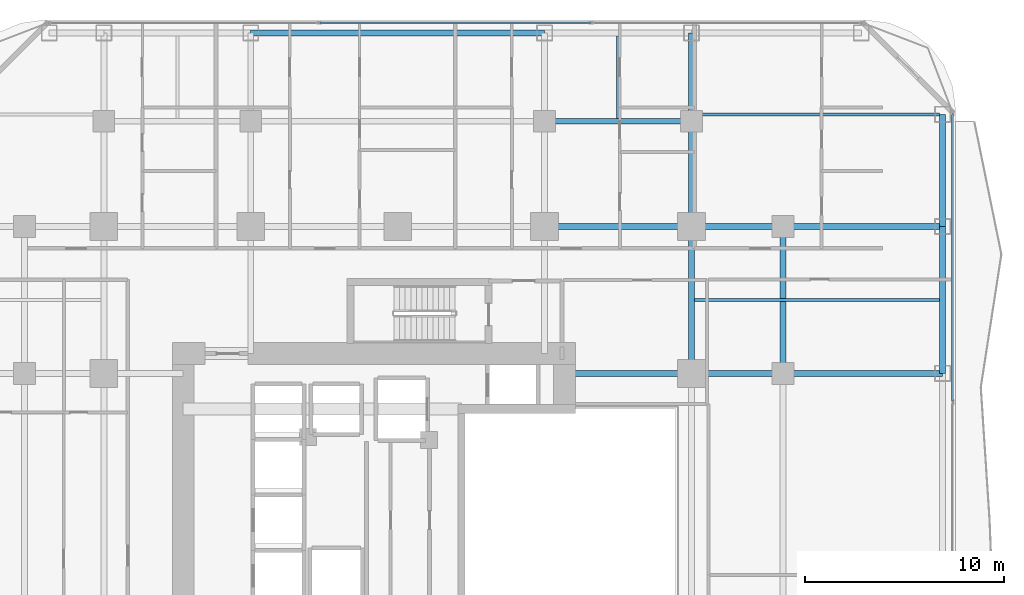
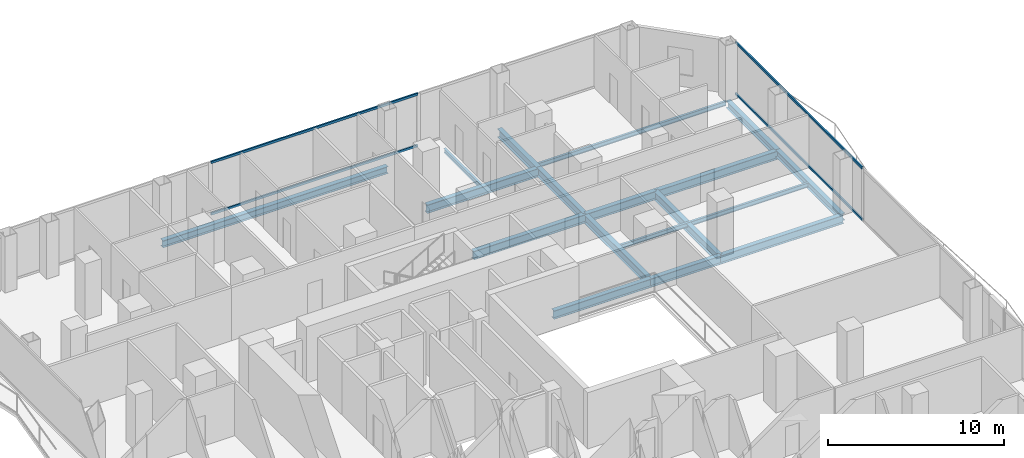
# One storey, part 17 of 27: 17 beams, 4 members, 2 elements without a shape of their own.
"""IFC4 building model written with IfcOpenShell, lengths in metres."""

from ifc_helpers import new_model, si_unit, direction, frame, origin, origin_2d, place, context, subcontext, project, spatial, hollow_rectangle, i_section, extrude, material, layer, layer_set, material_profile, profile_set, type_object, element, aggregate, save


model = new_model("IFC4")

# Units and contexts
model_context = context("Model", 3, precision=1e-05, world=origin(), true_north=direction((0.0, 1.0)))
body_context = subcontext(model_context, "Body", "Model", "MODEL_VIEW")
ifc_project = project(units=[si_unit("LENGTHUNIT", "METRE"), si_unit("AREAUNIT", "SQUARE_METRE"), si_unit("VOLUMEUNIT", "CUBIC_METRE"), si_unit("PLANEANGLEUNIT", "RADIAN"), si_unit("MASSUNIT", "GRAM", prefix="KILO")], contexts=[model_context])

# Site, building, storey
site_placement = place(None, origin())
site = spatial("IfcSite", under=ifc_project, at=site_placement, CompositionType="ELEMENT")
building_placement = place(site_placement, origin())
building = spatial("IfcBuilding", under=site, at=building_placement, Name="Khorvyn Point Tower", CompositionType="ELEMENT")
storey_placement = place(building_placement, frame((0.0, 0.0, 42.300048828125)))
storey = spatial("IfcBuildingStorey", under=building, at=storey_placement, Name="L11", CompositionType="ELEMENT", Elevation=42.300048828125)

# Curtain wall, members
ifc_material_1 = material(Name="Anodised aluminium 6063-T6 and laminated Low-E glass", Category="aluminium")
ifc_layer = layer(ifc_material_1, 0.18994140625)
ifc_layer_set = layer_set([ifc_layer], Name="Stick-Built Finned Residential Curtain Wall CW-SYS-02")
curtain_wall_type = type_object("IfcCurtainWallType", Name="Stick-Built Finned Residential Curtain Wall CW-SYS-02", PredefinedType="NOTDEFINED", material=ifc_layer_set)
curtain_wall_1_placement = place(storey_placement, origin())
curtain_wall_1 = element("IfcCurtainWall", 1, at=curtain_wall_1_placement, inside=storey, type_object=curtain_wall_type, Name="Curtain Wall", PredefinedType="NOTDEFINED")
ifc_material_2 = material(Name="Anodised aluminium 6063-T6", Category="aluminium")
ifc_material_profile_1 = material_profile(ifc_material_2, hollow_rectangle(XDim=0.10009765625, YDim=0.159912109375, WallThickness=0.00439453125, at=origin_2d()))
ifc_profile_set_1 = profile_set([ifc_material_profile_1], Name="Anodised aluminium 6063-T6 ALU-TRN-100x160")
member_type = type_object("IfcMemberType", Name="Anodised Aluminium 6063-T6 Transom ALU-TRN-100x160", PredefinedType="USERDEFINED", material=ifc_profile_set_1)
member_1_placement = place(storey_placement, frame((-3.89990234375, 25.050048828125, 0.050048828125), z_axis=(1.0, 0.0, 0.0), x_axis=(0.0, 1.0, 0.0)))
member_1 = element("IfcMember", 2, at=member_1_placement, type_object=member_type, Name="Transom", ObjectType="TRANSOM", PredefinedType="USERDEFINED", context=body_context, shape_type="SweptSolid", body=[
    extrude(hollow_rectangle(XDim=0.10009765625, YDim=0.159912109375, WallThickness=0.00439453125, at=origin_2d()), origin(), (0.0, 0.0, 1.0), 13.599853515625),
])
member_2_placement = place(storey_placement, frame((-3.89990234375, 25.050048828125, 3.6298828125), z_axis=(1.0, 0.0, 0.0), x_axis=(0.0, 1.0, 0.0)))
member_2 = element("IfcMember", 3, at=member_2_placement, type_object=member_type, Name="Transom", ObjectType="TRANSOM", PredefinedType="USERDEFINED", context=body_context, shape_type="SweptSolid", body=[
    extrude(hollow_rectangle(XDim=0.10009765625, YDim=0.159912109375, WallThickness=0.00439453125, at=origin_2d()), origin(), (0.0, 0.0, 1.0), 13.599853515625),
])
aggregate(curtain_wall_1, [member_1, member_2])

curtain_wall_2_placement = place(storey_placement, origin())
curtain_wall_2 = element("IfcCurtainWall", 4, at=curtain_wall_2_placement, inside=storey, type_object=curtain_wall_type, Name="Curtain Wall", PredefinedType="NOTDEFINED")
member_3_placement = place(storey_placement, frame((27.949951171875, 20.449951171875, 0.050048828125), z_axis=(0.0, -1.0, 0.0), x_axis=(1.0, 0.0, 0.0)))
member_3 = element("IfcMember", 5, at=member_3_placement, type_object=member_type, Name="Transom", ObjectType="TRANSOM", PredefinedType="USERDEFINED", context=body_context, shape_type="SweptSolid", body=[
    extrude(hollow_rectangle(XDim=0.10009765625, YDim=0.159912109375, WallThickness=0.00439453125, at=origin_2d()), origin(), (0.0, 0.0, 1.0), 14.448486328125),
])
member_4_placement = place(storey_placement, frame((27.949951171875, 20.449951171875, 3.6298828125), z_axis=(0.0, -1.0, 0.0), x_axis=(1.0, 0.0, 0.0)))
member_4 = element("IfcMember", 6, at=member_4_placement, type_object=member_type, Name="Transom", ObjectType="TRANSOM", PredefinedType="USERDEFINED", context=body_context, shape_type="SweptSolid", body=[
    extrude(hollow_rectangle(XDim=0.10009765625, YDim=0.159912109375, WallThickness=0.00439453125, at=origin_2d()), origin(), (0.0, 0.0, 1.0), 14.448486328125),
])
aggregate(curtain_wall_2, [member_3, member_4])

# Beams
ifc_material_3 = material(Name="Steel S355", Category="steel")
ifc_material_profile_2 = material_profile(ifc_material_3, i_section(OverallWidth=0.300048828125, OverallDepth=0.587890625, WebThickness=0.011962890625, FlangeThickness=0.02001953125, at=origin_2d()))
ifc_profile_set_2 = profile_set([ifc_material_profile_2], Name="Steel S355 H588x300x12x20")
beam_type_1 = type_object("IfcBeamType", Name="Steel S355 Beam H588x300x12x20", PredefinedType="BEAM", material=ifc_profile_set_2)
beam_1_placement = place(storey_placement, frame((7.39990234375, 14.800048828125, -0.51416015625), z_axis=(1.0, 0.0, 0.0), x_axis=(0.0, 1.0, 0.0)))
element("IfcBeam", 7, at=beam_1_placement, inside=storey, type_object=beam_type_1, Name="Beam", PredefinedType="BEAM", context=body_context, shape_type="SweptSolid", body=[
    extrude(i_section(OverallWidth=0.300048828125, OverallDepth=0.587890625, WebThickness=0.011962890625, FlangeThickness=0.02001953125, at=origin_2d()), origin(), (0.0, 0.0, 1.0), 7.400146484375),
])
beam_2_placement = place(storey_placement, frame((14.800048828125, 14.800048828125, -0.51416015625), z_axis=(1.0, 0.0, 0.0), x_axis=(0.0, 1.0, 0.0)))
element("IfcBeam", 8, at=beam_2_placement, inside=storey, type_object=beam_type_1, Name="Beam", PredefinedType="BEAM", context=body_context, shape_type="SweptSolid", body=[
    extrude(i_section(OverallWidth=0.300048828125, OverallDepth=0.587890625, WebThickness=0.011962890625, FlangeThickness=0.02001953125, at=origin_2d()), origin(), (0.0, 0.0, 1.0), 4.599853515625),
])
beam_3_placement = place(storey_placement, frame((19.39990234375, 14.800048828125, -0.51416015625), z_axis=(1.0, 0.0, 0.0), x_axis=(0.0, 1.0, 0.0)))
element("IfcBeam", 9, at=beam_3_placement, inside=storey, type_object=beam_type_1, Name="Beam", PredefinedType="BEAM", context=body_context, shape_type="SweptSolid", body=[
    extrude(i_section(OverallWidth=0.300048828125, OverallDepth=0.587890625, WebThickness=0.011962890625, FlangeThickness=0.02001953125, at=origin_2d()), origin(), (0.0, 0.0, 1.0), 8.050048828125),
])
beam_4_placement = place(storey_placement, frame((8.39990234375, 7.39990234375, -0.51416015625), z_axis=(1.0, 0.0, 0.0), x_axis=(0.0, 1.0, 0.0)))
element("IfcBeam", 10, at=beam_4_placement, inside=storey, type_object=beam_type_1, Name="Beam", PredefinedType="BEAM", context=body_context, shape_type="SweptSolid", body=[
    extrude(i_section(OverallWidth=0.300048828125, OverallDepth=0.587890625, WebThickness=0.011962890625, FlangeThickness=0.02001953125, at=origin_2d()), origin(), (0.0, 0.0, 1.0), 6.400146484375),
])
beam_5_placement = place(storey_placement, frame((14.800048828125, 7.39990234375, -0.51416015625), z_axis=(1.0, 0.0, 0.0), x_axis=(0.0, 1.0, 0.0)))
element("IfcBeam", 11, at=beam_5_placement, inside=storey, type_object=beam_type_1, Name="Beam", PredefinedType="BEAM", context=body_context, shape_type="SweptSolid", body=[
    extrude(i_section(OverallWidth=0.300048828125, OverallDepth=0.587890625, WebThickness=0.011962890625, FlangeThickness=0.02001953125, at=origin_2d()), origin(), (0.0, 0.0, 1.0), 4.599853515625),
])
beam_6_placement = place(storey_placement, frame((19.39990234375, 7.39990234375, -0.51416015625), z_axis=(1.0, 0.0, 0.0), x_axis=(0.0, 1.0, 0.0)))
element("IfcBeam", 12, at=beam_6_placement, inside=storey, type_object=beam_type_1, Name="Beam", PredefinedType="BEAM", context=body_context, shape_type="SweptSolid", body=[
    extrude(i_section(OverallWidth=0.300048828125, OverallDepth=0.587890625, WebThickness=0.011962890625, FlangeThickness=0.02001953125, at=origin_2d()), origin(), (0.0, 0.0, 1.0), 8.050048828125),
])
for number, where, z_axis, x_axis, name in (
    (13, (7.39990234375, 20.10009765625, -0.51416015625), (1.0, 0.0, 0.0), (0.0, 1.0, 0.0), "Beam"),
    (14, (14.800048828125, 7.39990234375, -0.51416015625), (0.0, 1.0, 0.0), (-1.0, 0.0, 0.0), "Beam"),
):
    element("IfcBeam", number, at=place(storey_placement, frame(where, z_axis=z_axis, x_axis=x_axis)), inside=storey, type_object=beam_type_1, Name=name, PredefinedType="BEAM", context=body_context, shape_type="SweptSolid", body=[
        extrude(i_section(OverallWidth=0.300048828125, OverallDepth=0.587890625, WebThickness=0.011962890625, FlangeThickness=0.02001953125, at=origin_2d()), origin(), (0.0, 0.0, 1.0), 7.400146484375),
    ])
beam_7_placement = place(storey_placement, frame((14.800048828125, 14.800048828125, -0.51416015625), z_axis=(0.0, 1.0, 0.0), x_axis=(-1.0, 0.0, 0.0)))
element("IfcBeam", 15, at=beam_7_placement, inside=storey, type_object=beam_type_1, Name="Beam", PredefinedType="BEAM", context=body_context, shape_type="SweptSolid", body=[
    extrude(i_section(OverallWidth=0.300048828125, OverallDepth=0.587890625, WebThickness=0.011962890625, FlangeThickness=0.02001953125, at=origin_2d()), origin(), (0.0, 0.0, 1.0), 5.300048828125),
])
beam_8_placement = place(storey_placement, frame((14.800048828125, 20.10009765625, -0.51416015625), z_axis=(0.0, 1.0, 0.0), x_axis=(-1.0, 0.0, 0.0)))
element("IfcBeam", 16, at=beam_8_placement, inside=storey, type_object=beam_type_1, Name="Beam", PredefinedType="BEAM", context=body_context, shape_type="SweptSolid", body=[
    extrude(i_section(OverallWidth=0.300048828125, OverallDepth=0.587890625, WebThickness=0.011962890625, FlangeThickness=0.02001953125, at=origin_2d()), origin(), (0.0, 0.0, 1.0), 4.449951171875),
])
beam_9_placement = place(storey_placement, frame((19.39990234375, 7.39990234375, -0.51416015625), z_axis=(0.0, 1.0, 0.0), x_axis=(-1.0, 0.0, 0.0)))
element("IfcBeam", 17, at=beam_9_placement, inside=storey, type_object=beam_type_1, Name="Beam", PredefinedType="BEAM", context=body_context, shape_type="SweptSolid", body=[
    extrude(i_section(OverallWidth=0.300048828125, OverallDepth=0.587890625, WebThickness=0.011962890625, FlangeThickness=0.02001953125, at=origin_2d()), origin(), (0.0, 0.0, 1.0), 7.400146484375),
])
ifc_material_profile_3 = material_profile(ifc_material_3, i_section(OverallWidth=0.14990234375, OverallDepth=0.300048828125, WebThickness=0.006591796875, FlangeThickness=0.009033203125, at=origin_2d()))
ifc_profile_set_3 = profile_set([ifc_material_profile_3], Name="Steel S355 H300x150x6.5x9")
beam_type_2 = type_object("IfcBeamType", Name="Steel S355 Joist H300x150x6.5x9", PredefinedType="JOIST", material=ifc_profile_set_3)
beam_10_placement = place(storey_placement, frame((14.949951171875, 11.10009765625, -0.3701171875), z_axis=(1.0, 0.0, 0.0), x_axis=(0.0, 1.0, 0.0)))
element("IfcBeam", 18, at=beam_10_placement, inside=storey, type_object=beam_type_2, Name="Beam", PredefinedType="JOIST", context=body_context, shape_type="SweptSolid", body=[
    extrude(i_section(OverallWidth=0.14990234375, OverallDepth=0.300048828125, WebThickness=0.006591796875, FlangeThickness=0.009033203125, at=origin_2d()), origin(), (0.0, 0.0, 1.0), 12.35009765625),
])
beam_11_placement = place(storey_placement, frame((11.10009765625, 20.25, -0.3701171875), z_axis=(0.0, 1.0, 0.0), x_axis=(-1.0, 0.0, 0.0)))
element("IfcBeam", 19, at=beam_11_placement, inside=storey, type_object=beam_type_2, Name="Beam", PredefinedType="JOIST", context=body_context, shape_type="SweptSolid", body=[
    extrude(i_section(OverallWidth=0.14990234375, OverallDepth=0.300048828125, WebThickness=0.006591796875, FlangeThickness=0.009033203125, at=origin_2d()), origin(), (0.0, 0.0, 1.0), 4.14990234375),
])
beam_12_placement = place(storey_placement, frame((14.949951171875, 20.449951171875, -0.3701171875), z_axis=(1.0, 0.0, 0.0), x_axis=(0.0, 1.0, 0.0)))
element("IfcBeam", 20, at=beam_12_placement, inside=storey, type_object=beam_type_2, Name="Beam", PredefinedType="JOIST", context=body_context, shape_type="SweptSolid", body=[
    extrude(i_section(OverallWidth=0.14990234375, OverallDepth=0.300048828125, WebThickness=0.006591796875, FlangeThickness=0.009033203125, at=origin_2d()), origin(), (0.0, 0.0, 1.0), 12.35009765625),
])
ifc_material_profile_4 = material_profile(ifc_material_3, i_section(OverallWidth=0.300048828125, OverallDepth=0.488037109375, WebThickness=0.010986328125, FlangeThickness=0.01806640625, at=origin_2d()))
ifc_profile_set_4 = profile_set([ifc_material_profile_4], Name="Steel S355 H488x300x11x18")
beam_type_3 = type_object("IfcBeamType", Name="Steel S355 Spandrel H488x300x11x18", PredefinedType="SPANDREL", material=ifc_profile_set_4)
beam_13_placement = place(storey_placement, frame((-7.39990234375, 24.550048828125, -0.464111328125), z_axis=(1.0, 0.0, 0.0), x_axis=(0.0, 1.0, 0.0)))
element("IfcBeam", 21, at=beam_13_placement, inside=storey, type_object=beam_type_3, Name="Beam", PredefinedType="SPANDREL", context=body_context, shape_type="SweptSolid", body=[
    extrude(i_section(OverallWidth=0.300048828125, OverallDepth=0.488037109375, WebThickness=0.010986328125, FlangeThickness=0.01806640625, at=origin_2d()), origin(), (0.0, 0.0, 1.0), 14.7998046875),
])
beam_14_placement = place(storey_placement, frame((27.449951171875, 7.39990234375, -0.464111328125), z_axis=(0.0, 1.0, 0.0), x_axis=(-1.0, 0.0, 0.0)))
element("IfcBeam", 22, at=beam_14_placement, inside=storey, type_object=beam_type_3, Name="Beam", PredefinedType="SPANDREL", context=body_context, shape_type="SweptSolid", body=[
    extrude(i_section(OverallWidth=0.300048828125, OverallDepth=0.488037109375, WebThickness=0.010986328125, FlangeThickness=0.01806640625, at=origin_2d()), origin(), (0.0, 0.0, 1.0), 7.400146484375),
])
beam_15_placement = place(storey_placement, frame((27.449951171875, 14.800048828125, -0.464111328125), z_axis=(0.0, 1.0, 0.0), x_axis=(-1.0, 0.0, 0.0)))
element("IfcBeam", 23, at=beam_15_placement, inside=storey, type_object=beam_type_3, Name="Beam", PredefinedType="SPANDREL", context=body_context, shape_type="SweptSolid", body=[
    extrude(i_section(OverallWidth=0.300048828125, OverallDepth=0.488037109375, WebThickness=0.010986328125, FlangeThickness=0.01806640625, at=origin_2d()), origin(), (0.0, 0.0, 1.0), 5.64990234375),
])

save(model, "model.ifc")
